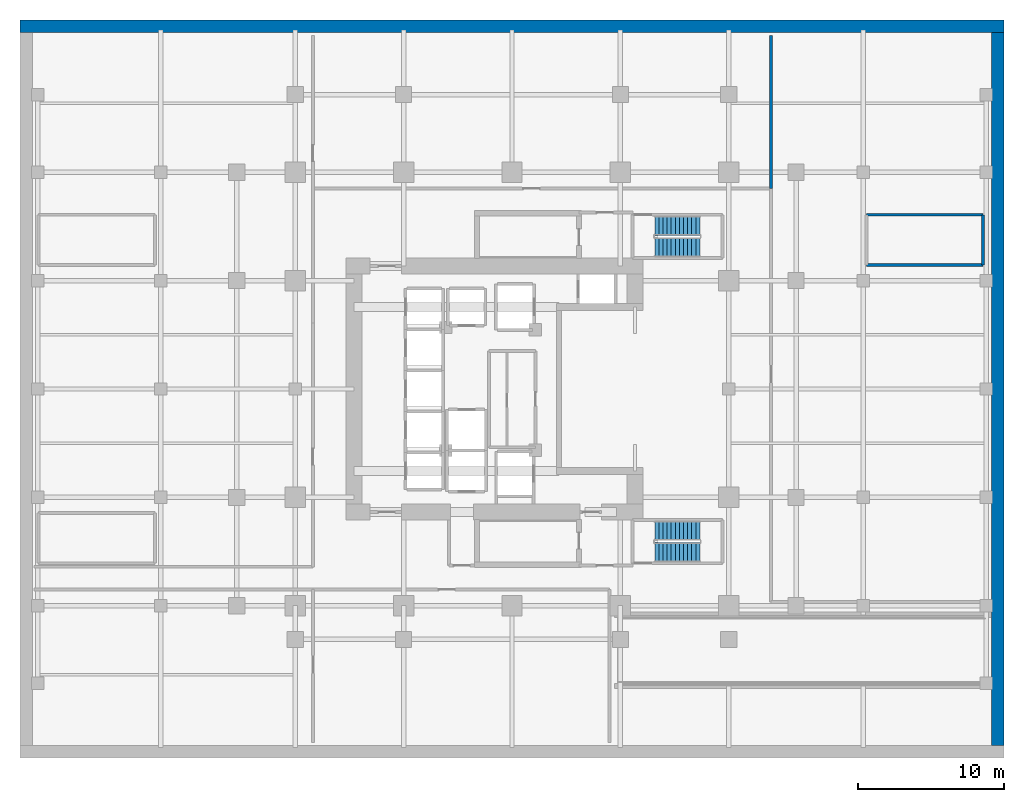
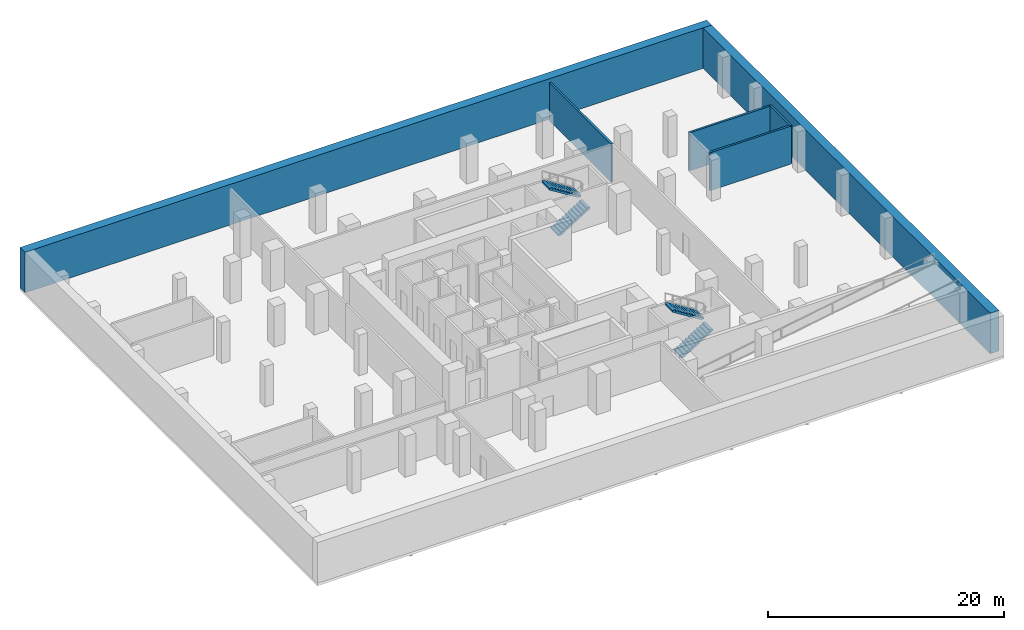
# One storey, part 6 of 7: 6 walls, 4 stair flights, 2 elements without a shape of their own.
"""IFC4 building model written with IfcOpenShell, lengths in metres."""

from ifc_helpers import new_model, si_unit, direction, frame, frame_2d, origin, place, context, subcontext, project, spatial, polyline, rectangle, outline, extrude, material, layer, layer_set, type_object, element, aggregate, save


model = new_model("IFC4")

# Units and contexts
model_context = context("Model", 3, precision=1e-05, world=origin(), true_north=direction((0.0, 1.0)))
body_context = subcontext(model_context, "Body", "Model", "MODEL_VIEW")
ifc_project = project(units=[si_unit("LENGTHUNIT", "METRE"), si_unit("AREAUNIT", "SQUARE_METRE"), si_unit("VOLUMEUNIT", "CUBIC_METRE"), si_unit("PLANEANGLEUNIT", "RADIAN"), si_unit("MASSUNIT", "GRAM", prefix="KILO")], contexts=[model_context])

# Site, building, storey
site_placement = place(None, origin())
site = spatial("IfcSite", under=ifc_project, at=site_placement, CompositionType="ELEMENT")
building_placement = place(site_placement, origin())
building = spatial("IfcBuilding", under=site, at=building_placement, Name="Khorvyn Point Tower", CompositionType="ELEMENT")
storey_placement = place(building_placement, frame((0.0, 0.0, -8.39990234375)))
storey = spatial("IfcBuildingStorey", under=building, at=storey_placement, Name="B2", CompositionType="ELEMENT", Elevation=-8.39990234375)

# Walls
ifc_material_1 = material(Name="Concrete C35/45", Category="concrete")
ifc_layer_1 = layer(ifc_material_1, 0.85009765625)
ifc_layer_set_1 = layer_set([ifc_layer_1], Name="Concrete C35/45 Basement Retaining Wall 850")
wall_type_1 = type_object("IfcWallType", Name="Concrete C35/45 Basement Retaining Wall 850", PredefinedType="SOLIDWALL", material=ifc_layer_set_1)
wall_1_placement = place(storey_placement, frame((-33.60009765625, 24.77490234375, 0.0), z_axis=(0.0, 0.0, 1.0), x_axis=(1.0, 0.0, 0.0)))
element("IfcWall", 1, at=wall_1_placement, inside=storey, type_object=wall_type_1, Name="B2 Basement Retaining Wall N", PredefinedType="SOLIDWALL", context=body_context, shape_type="SweptSolid", body=[
    extrude(rectangle(XDim=67.2001953125, YDim=0.85009765625, at=frame_2d((33.60009765625, 0.0))), origin(), (0.0, 0.0, 1.0), 4.199951171875),
])
wall_2_placement = place(storey_placement, frame((33.175048828125, -24.35009765625, 0.0), z_axis=(0.0, 0.0, 1.0), x_axis=(0.0, 1.0, 0.0)))
element("IfcWall", 2, at=wall_2_placement, inside=storey, type_object=wall_type_1, Name="B2 Basement Retaining Wall E", PredefinedType="SOLIDWALL", context=body_context, shape_type="SweptSolid", body=[
    extrude(rectangle(XDim=48.7001953125, YDim=0.85009765625, at=frame_2d((24.35009765625, 0.0))), origin(), (0.0, 0.0, 1.0), 4.199951171875),
])
ifc_material_2 = material(Name="Concrete C35/45 masonry blockwork", Category="masonry")
ifc_layer_2 = layer(ifc_material_2, 0.199951171875)
ifc_layer_set_2 = layer_set([ifc_layer_2], Name="Concrete C35/45 Blockwork Plant Compartment Wall 200")
wall_type_2 = type_object("IfcWallType", Name="Concrete C35/45 Blockwork Plant Compartment Wall 200", PredefinedType="SOLIDWALL", material=ifc_layer_set_2)
wall_3_placement = place(storey_placement, frame((17.699951171875, 13.699951171875, 0.0), z_axis=(0.0, 0.0, 1.0), x_axis=(0.0, 1.0, 0.0)))
element("IfcWall", 3, at=wall_3_placement, inside=storey, type_object=wall_type_2, Name="Wall", PredefinedType="SOLIDWALL", context=body_context, shape_type="SweptSolid", body=[
    extrude(rectangle(XDim=10.449951171875, YDim=0.199951171875, at=frame_2d((5.22509765625, 0.0))), origin(), (0.0, 0.0, 1.0), 3.93994140625),
])
ifc_material_3 = material(Name="Concrete C40/50", Category="concrete")
ifc_layer_3 = layer(ifc_material_3, 0.199951171875)
ifc_layer_set_3 = layer_set([ifc_layer_3], Name="Concrete C40/50 Structural Hoistway and Stair Shaft Wall 200")
wall_type_3 = type_object("IfcWallType", Name="Concrete C40/50 Structural Hoistway and Stair Shaft Wall 200", PredefinedType="SHEAR", material=ifc_layer_set_3)
wall_4_placement = place(storey_placement, frame((32.179931640625, 11.89990234375, 0.0), z_axis=(0.0, 0.0, 1.0), x_axis=(0.0, -1.0, 0.0)))
element("IfcWall", 4, at=wall_4_placement, inside=storey, type_object=wall_type_3, Name="Wall", PredefinedType="SHEAR", context=body_context, shape_type="SweptSolid", body=[
    extrude(rectangle(XDim=3.419921875, YDim=0.199951171875, at=frame_2d((1.7099609375, 0.0))), origin(), (0.0, 0.0, 1.0), 3.93994140625),
])
for number, where, z_axis, x_axis, name in (
    (5, (32.179931640625, 8.47998046875, 0.0), (0.0, 0.0, 1.0), (-1.0, 0.0, 0.0), "Wall"),
    (6, (24.219970703125, 11.89990234375, 0.0), (0.0, 0.0, 1.0), (1.0, 0.0, 0.0), "Wall"),
):
    element("IfcWall", number, at=place(storey_placement, frame(where, z_axis=z_axis, x_axis=x_axis)), inside=storey, type_object=wall_type_3, Name=name, PredefinedType="SHEAR", context=body_context, shape_type="SweptSolid", body=[
        extrude(rectangle(XDim=7.9599609375, YDim=0.199951171875, at=frame_2d((3.97998046875, 0.0))), origin(), (0.0, 0.0, 1.0), 3.93994140625),
    ])

# Stair, stair flights
stair_type = type_object("IfcStairType", Name="Tower Concrete C40/50 Dogleg Exit Stair", PredefinedType="HALF_TURN_STAIR", material=ifc_material_3)
stair_1_placement = place(storey_placement, origin())
stair_1 = element("IfcStair", 7, at=stair_1_placement, inside=storey, type_object=stair_type, Name="B2 Basement Garage Smokeproof Stair South", PredefinedType="HALF_TURN_STAIR")
stair_flight_type = type_object("IfcStairFlightType", Name="Tower Concrete C40/50 Stair Flight", PredefinedType="STRAIGHT", material=ifc_material_3)
stair_flight_1_placement = place(storey_placement, frame((9.75, -11.159912109375, 0.0), z_axis=(0.0, 0.0, 1.0), x_axis=(1.0, 0.0, 0.0)))
stair_flight_1 = element("IfcStairFlight", 8, at=stair_flight_1_placement, type_object=stair_flight_type, Name="ST-B1 flight 1", NumberOfRisers=12, NumberOfTreads=11, PredefinedType="STRAIGHT", RiserHeight=0.175, TreadLength=0.28, context=body_context, shape_type="SweptSolid", body=[
    extrude(outline(polyline([(0.0, 0.0), (0.0, 0.175048828125), (0.280029296875, 0.175048828125), (0.280029296875, 0.35009765625), (0.56005859375, 0.35009765625), (0.56005859375, 0.52490234375), (0.840087890625, 0.52490234375), (0.840087890625, 0.699951171875), (1.1201171875, 0.699951171875), (1.1201171875, 0.875), (1.39990234375, 0.875), (1.39990234375, 1.050048828125), (1.679931640625, 1.050048828125), (1.679931640625, 1.22509765625), (1.9599609375, 1.22509765625), (1.9599609375, 1.39990234375), (2.239990234375, 1.39990234375), (2.239990234375, 1.574951171875), (2.52001953125, 1.574951171875), (2.52001953125, 1.75), (2.800048828125, 1.75), (2.800048828125, 1.925048828125), (3.080078125, 1.925048828125), (3.080078125, 2.10009765625), (3.080078125, 1.748291015625), (0.28271484375, 0.0), (0.0, 0.0)])), frame((0.0, 0.66015625, 0.0), z_axis=(0.0, -1.0, 0.0), x_axis=(1.0, 0.0, 0.0)), (0.0, 0.0, 1.0), 1.320068359375),
])
stair_flight_2_placement = place(storey_placement, frame((12.830078125, -9.679931640625, 2.099853515625), z_axis=(0.0, 0.0, 1.0), x_axis=(-1.0, 0.0, 0.0)))
stair_flight_2 = element("IfcStairFlight", 9, at=stair_flight_2_placement, type_object=stair_flight_type, Name="ST-B1 flight 2", NumberOfRisers=12, NumberOfTreads=11, PredefinedType="STRAIGHT", RiserHeight=0.175, TreadLength=0.28, context=body_context, shape_type="SweptSolid", body=[
    extrude(outline(polyline([(0.0, 0.0), (0.0, 0.175048828125), (0.280029296875, 0.175048828125), (0.280029296875, 0.35009765625), (0.56005859375, 0.35009765625), (0.56005859375, 0.52490234375), (0.840087890625, 0.52490234375), (0.840087890625, 0.699951171875), (1.1201171875, 0.699951171875), (1.1201171875, 0.875), (1.39990234375, 0.875), (1.39990234375, 1.050048828125), (1.679931640625, 1.050048828125), (1.679931640625, 1.22509765625), (1.9599609375, 1.22509765625), (1.9599609375, 1.39990234375), (2.239990234375, 1.39990234375), (2.239990234375, 1.574951171875), (2.52001953125, 1.574951171875), (2.52001953125, 1.75), (2.800048828125, 1.75), (2.800048828125, 1.925048828125), (3.080078125, 1.925048828125), (3.080078125, 2.10009765625), (3.080078125, 1.748291015625), (0.28271484375, 0.0), (0.0, 0.0)])), frame((0.0, 0.66015625, 0.0), z_axis=(0.0, -1.0, 0.0), x_axis=(1.0, 0.0, 0.0)), (0.0, 0.0, 1.0), 1.320068359375),
])
aggregate(stair_1, [stair_flight_1, stair_flight_2])

stair_2_placement = place(storey_placement, origin())
stair_2 = element("IfcStair", 10, at=stair_2_placement, inside=storey, type_object=stair_type, Name="B2 Basement Garage Smokeproof Stair North", PredefinedType="HALF_TURN_STAIR")
stair_flight_3_placement = place(storey_placement, frame((9.75, 9.679931640625, 0.0), z_axis=(0.0, 0.0, 1.0), x_axis=(1.0, 0.0, 0.0)))
stair_flight_3 = element("IfcStairFlight", 11, at=stair_flight_3_placement, type_object=stair_flight_type, Name="ST-B2 flight 1", NumberOfRisers=12, NumberOfTreads=11, PredefinedType="STRAIGHT", RiserHeight=0.175, TreadLength=0.28, context=body_context, shape_type="SweptSolid", body=[
    extrude(outline(polyline([(0.0, 0.0), (0.0, 0.175048828125), (0.280029296875, 0.175048828125), (0.280029296875, 0.35009765625), (0.56005859375, 0.35009765625), (0.56005859375, 0.52490234375), (0.840087890625, 0.52490234375), (0.840087890625, 0.699951171875), (1.1201171875, 0.699951171875), (1.1201171875, 0.875), (1.39990234375, 0.875), (1.39990234375, 1.050048828125), (1.679931640625, 1.050048828125), (1.679931640625, 1.22509765625), (1.9599609375, 1.22509765625), (1.9599609375, 1.39990234375), (2.239990234375, 1.39990234375), (2.239990234375, 1.574951171875), (2.52001953125, 1.574951171875), (2.52001953125, 1.75), (2.800048828125, 1.75), (2.800048828125, 1.925048828125), (3.080078125, 1.925048828125), (3.080078125, 2.10009765625), (3.080078125, 1.748291015625), (0.28271484375, 0.0), (0.0, 0.0)])), frame((0.0, 0.66015625, 0.0), z_axis=(0.0, -1.0, 0.0), x_axis=(1.0, 0.0, 0.0)), (0.0, 0.0, 1.0), 1.320068359375),
])
stair_flight_4_placement = place(storey_placement, frame((12.830078125, 11.159912109375, 2.099853515625), z_axis=(0.0, 0.0, 1.0), x_axis=(-1.0, 0.0, 0.0)))
stair_flight_4 = element("IfcStairFlight", 12, at=stair_flight_4_placement, type_object=stair_flight_type, Name="ST-B2 flight 2", NumberOfRisers=12, NumberOfTreads=11, PredefinedType="STRAIGHT", RiserHeight=0.175, TreadLength=0.28, context=body_context, shape_type="SweptSolid", body=[
    extrude(outline(polyline([(0.0, 0.0), (0.0, 0.175048828125), (0.280029296875, 0.175048828125), (0.280029296875, 0.35009765625), (0.56005859375, 0.35009765625), (0.56005859375, 0.52490234375), (0.840087890625, 0.52490234375), (0.840087890625, 0.699951171875), (1.1201171875, 0.699951171875), (1.1201171875, 0.875), (1.39990234375, 0.875), (1.39990234375, 1.050048828125), (1.679931640625, 1.050048828125), (1.679931640625, 1.22509765625), (1.9599609375, 1.22509765625), (1.9599609375, 1.39990234375), (2.239990234375, 1.39990234375), (2.239990234375, 1.574951171875), (2.52001953125, 1.574951171875), (2.52001953125, 1.75), (2.800048828125, 1.75), (2.800048828125, 1.925048828125), (3.080078125, 1.925048828125), (3.080078125, 2.10009765625), (3.080078125, 1.748291015625), (0.28271484375, 0.0), (0.0, 0.0)])), frame((0.0, 0.66015625, 0.0), z_axis=(0.0, -1.0, 0.0), x_axis=(1.0, 0.0, 0.0)), (0.0, 0.0, 1.0), 1.320068359375),
])
aggregate(stair_2, [stair_flight_3, stair_flight_4])

save(model, "model.ifc")
